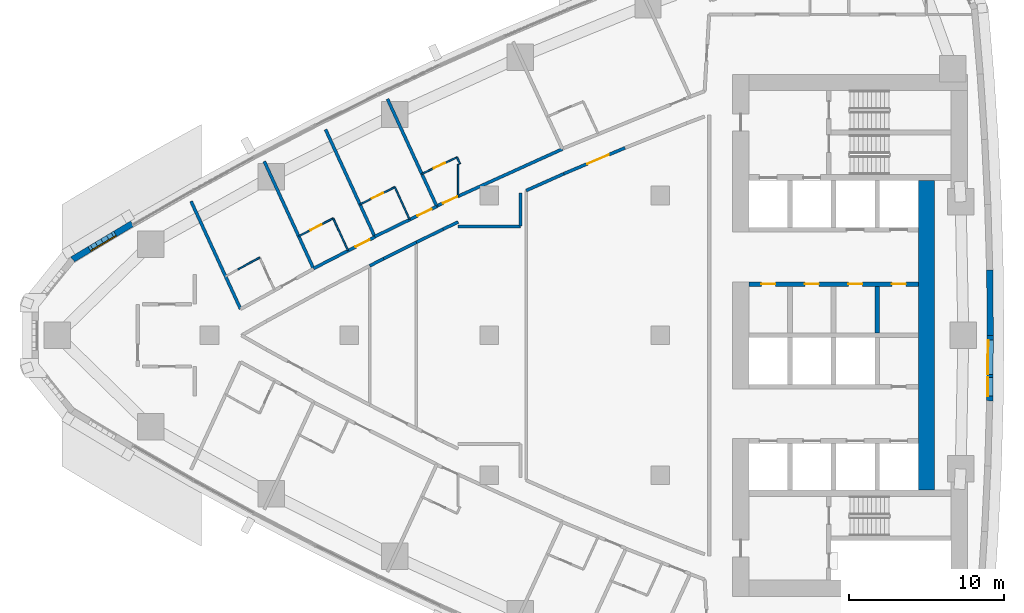
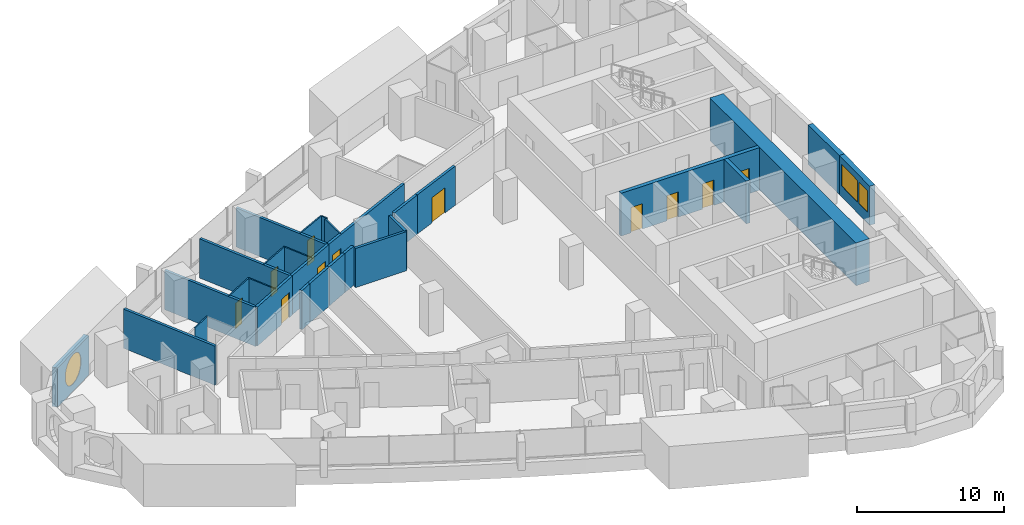
# One storey, part 11 of 17: 29 walls, 11 doors, 3 windows, 14 openings.
"""IFC4 building model written with IfcOpenShell, lengths in metres."""

from ifc_helpers import new_model, si_unit, direction, frame, frame_2d, origin, place, context, subcontext, project, spatial, polyline, rectangle, outline, extrude, material, layer, layer_set, type_object, element, fill, save


model = new_model("IFC4")

# Units and contexts
model_context = context("Model", 3, precision=1e-05, world=origin(), true_north=direction((0.0, 1.0)))
body_context = subcontext(model_context, "Body", "Model", "MODEL_VIEW")
ifc_project = project(units=[si_unit("LENGTHUNIT", "METRE"), si_unit("AREAUNIT", "SQUARE_METRE"), si_unit("VOLUMEUNIT", "CUBIC_METRE"), si_unit("PLANEANGLEUNIT", "RADIAN"), si_unit("MASSUNIT", "GRAM", prefix="KILO")], contexts=[model_context])

# Site, building, storey
site_placement = place(None, origin())
site = spatial("IfcSite", under=ifc_project, at=site_placement, CompositionType="ELEMENT")
building_placement = place(site_placement, origin())
building = spatial("IfcBuilding", under=site, at=building_placement, Name="Ostrand Prow Hotel Tower", CompositionType="ELEMENT")
storey_placement = place(building_placement, frame((0.0, 0.0, 113.300048828125)))
storey = spatial("IfcBuildingStorey", under=building, at=storey_placement, Name="L27", CompositionType="ELEMENT", Elevation=113.300048828125)

# Wall
ifc_material_1 = material(Name="Concrete C80/95", Category="concrete")
ifc_layer_1 = layer(ifc_material_1, 1.050048828125)
ifc_layer_set_1 = layer_set([ifc_layer_1], Name="Concrete C80/95")
wall_type_1 = type_object("IfcWallType", Name="Core wall 1050 C80/95", PredefinedType="SHEAR", material=ifc_layer_set_1)
wall_1_placement = place(storey_placement, frame((62.125, -9.949951171875, 0.0), z_axis=(0.0, 0.0, 1.0), x_axis=(0.0, 1.0, 0.0)))
element("IfcWall", 1, at=wall_1_placement, inside=storey, type_object=wall_type_1, Name="Core wall CW-E-C", PredefinedType="SHEAR", context=body_context, shape_type="SweptSolid", body=[
    extrude(rectangle(XDim=19.89990234375, YDim=1.050048828125, at=frame_2d((9.949951171875, 0.0))), origin(), (0.0, 0.0, 1.0), 3.550048828125),
])

# Wall, openings, doors
ifc_material_2 = material(Name="Concrete C80/95", Category="concrete")
ifc_layer_2 = layer(ifc_material_2, 0.300048828125)
ifc_layer_set_2 = layer_set([ifc_layer_2], Name="Concrete C80/95")
wall_type_2 = type_object("IfcWallType", Name="Core wall 300 C80/95", PredefinedType="SHEAR", material=ifc_layer_set_2)
wall_2_placement = place(storey_placement, frame((50.699951171875, 3.300048828125, 0.0), z_axis=(0.0, 0.0, 1.0), x_axis=(1.0, 0.0, 0.0)))
wall_2 = element("IfcWall", 2, at=wall_2_placement, inside=storey, type_object=wall_type_2, Name="Core wall PW-L1-N", PredefinedType="SHEAR", context=body_context, shape_type="SweptSolid", body=[
    extrude(rectangle(XDim=10.900146484375, YDim=0.300048828125, at=frame_2d((5.4501953125, 0.0))), origin(), (0.0, 0.0, 1.0), 3.550048828125),
])
opening_1_placement = place(wall_2_placement, frame((0.800048828125, 0.0, 0.0)))
opening_1 = element("IfcOpeningElement", 3, at=opening_1_placement, cuts=wall_2, Name="Opening FD2", PredefinedType="OPENING", context=body_context, shape_type="SweptSolid", body=[
    extrude(rectangle(XDim=0.89990234375, YDim=2.10009765625, at=frame_2d((0.449951171875, 1.050048828125))), frame((0.0, 0.159912109375, 0.0), z_axis=(0.0, -1.0, 0.0), x_axis=(1.0, 0.0, 0.0)), (0.0, 0.0, 1.0), 0.320068359375),
])
opening_2_placement = place(wall_2_placement, frame((3.60009765625, 0.0, 0.0)))
opening_2 = element("IfcOpeningElement", 4, at=opening_2_placement, cuts=wall_2, Name="Opening FD2", PredefinedType="OPENING", context=body_context, shape_type="SweptSolid", body=[
    extrude(rectangle(XDim=0.89990234375, YDim=2.10009765625, at=frame_2d((0.449951171875, 1.050048828125))), frame((0.0, 0.159912109375, 0.0), z_axis=(0.0, -1.0, 0.0), x_axis=(1.0, 0.0, 0.0)), (0.0, 0.0, 1.0), 0.320068359375),
])
opening_3_placement = place(wall_2_placement, frame((6.39990234375, 0.0, 0.0)))
opening_3 = element("IfcOpeningElement", 5, at=opening_3_placement, cuts=wall_2, Name="Opening FD2", PredefinedType="OPENING", context=body_context, shape_type="SweptSolid", body=[
    extrude(rectangle(XDim=0.89990234375, YDim=2.10009765625, at=frame_2d((0.449951171875, 1.050048828125))), frame((0.0, 0.159912109375, 0.0), z_axis=(0.0, -1.0, 0.0), x_axis=(1.0, 0.0, 0.0)), (0.0, 0.0, 1.0), 0.320068359375),
])
opening_4_placement = place(wall_2_placement, frame((9.199951171875, 0.0, 0.0)))
opening_4 = element("IfcOpeningElement", 6, at=opening_4_placement, cuts=wall_2, Name="Opening FD2", PredefinedType="OPENING", context=body_context, shape_type="SweptSolid", body=[
    extrude(rectangle(XDim=0.89990234375, YDim=2.10009765625, at=frame_2d((0.449951171875, 1.050048828125))), frame((0.0, 0.159912109375, 0.0), z_axis=(0.0, -1.0, 0.0), x_axis=(1.0, 0.0, 0.0)), (0.0, 0.0, 1.0), 0.320068359375),
])
ifc_material_3 = material(Name="Steel fire door", Category="steel")
door_type_1 = type_object("IfcDoorType", Name="Fire door 900 EI120", OperationType="SINGLE_SWING_LEFT", PredefinedType="DOOR", material=ifc_material_3)
door_1_placement = place(opening_1_placement, origin())
door_1 = element("IfcDoor", 7, at=door_1_placement, inside=storey, type_object=door_type_1, Name="DOOR", OperationType="SINGLE_SWING_LEFT", OverallHeight=2.10009765625, OverallWidth=0.89990234375, PredefinedType="DOOR", context=body_context, shape_type="SweptSolid", body=[
    extrude(rectangle(XDim=0.89990234375, YDim=2.10009765625, at=frame_2d((0.449951171875, 1.050048828125))), frame((0.0, 0.02490234375, 0.0), z_axis=(0.0, -1.0, 0.0), x_axis=(1.0, 0.0, 0.0)), (0.0, 0.0, 1.0), 0.050048828125),
])
fill(opening_1, door_1)
door_2_placement = place(opening_2_placement, origin())
door_2 = element("IfcDoor", 8, at=door_2_placement, inside=storey, type_object=door_type_1, Name="DOOR", OperationType="SINGLE_SWING_LEFT", OverallHeight=2.10009765625, OverallWidth=0.89990234375, PredefinedType="DOOR", context=body_context, shape_type="SweptSolid", body=[
    extrude(rectangle(XDim=0.89990234375, YDim=2.10009765625, at=frame_2d((0.449951171875, 1.050048828125))), frame((0.0, 0.02490234375, 0.0), z_axis=(0.0, -1.0, 0.0), x_axis=(1.0, 0.0, 0.0)), (0.0, 0.0, 1.0), 0.050048828125),
])
fill(opening_2, door_2)
door_3_placement = place(opening_3_placement, origin())
door_3 = element("IfcDoor", 9, at=door_3_placement, inside=storey, type_object=door_type_1, Name="DOOR", OperationType="SINGLE_SWING_LEFT", OverallHeight=2.10009765625, OverallWidth=0.89990234375, PredefinedType="DOOR", context=body_context, shape_type="SweptSolid", body=[
    extrude(rectangle(XDim=0.89990234375, YDim=2.10009765625, at=frame_2d((0.449951171875, 1.050048828125))), frame((0.0, 0.02490234375, 0.0), z_axis=(0.0, -1.0, 0.0), x_axis=(1.0, 0.0, 0.0)), (0.0, 0.0, 1.0), 0.050048828125),
])
fill(opening_3, door_3)
door_4_placement = place(opening_4_placement, origin())
door_4 = element("IfcDoor", 10, at=door_4_placement, inside=storey, type_object=door_type_1, Name="DOOR", OperationType="SINGLE_SWING_LEFT", OverallHeight=2.10009765625, OverallWidth=0.89990234375, PredefinedType="DOOR", context=body_context, shape_type="SweptSolid", body=[
    extrude(rectangle(XDim=0.89990234375, YDim=2.10009765625, at=frame_2d((0.449951171875, 1.050048828125))), frame((0.0, 0.02490234375, 0.0), z_axis=(0.0, -1.0, 0.0), x_axis=(1.0, 0.0, 0.0)), (0.0, 0.0, 1.0), 0.050048828125),
])
fill(opening_4, door_4)

# Walls
wall_3_placement = place(storey_placement, frame((58.949951171875, 0.14990234375, 0.0), z_axis=(0.0, 0.0, 1.0), x_axis=(0.0, 1.0, 0.0)))
element("IfcWall", 11, at=wall_3_placement, inside=storey, type_object=wall_type_2, Name="Core wall PW-R3-NB", PredefinedType="SHEAR", context=body_context, shape_type="SweptSolid", body=[
    extrude(rectangle(XDim=3.0, YDim=0.300048828125, at=frame_2d((1.5, 0.0))), origin(), (0.0, 0.0, 1.0), 3.550048828125),
])
ifc_material_4 = material(Name="Plasterboard partition")
ifc_layer_3 = layer(ifc_material_4, 0.10009765625)
ifc_layer_set_3 = layer_set([ifc_layer_3], Name="Plasterboard partition")
wall_type_3 = type_object("IfcWallType", Name="Partition 100 bathroom wall", PredefinedType="PARTITIONING", material=ifc_layer_set_3)
wall_4_placement = place(storey_placement, frame((17.80126953125, 4.228515625, 0.0), z_axis=(0.0, 0.0, 1.0), x_axis=(0.877424481957, 0.479714788663, 0.0)))
element("IfcWall", 12, at=wall_4_placement, inside=storey, type_object=wall_type_3, Name="BATHROOM WALL", PredefinedType="PARTITIONING", context=body_context, shape_type="SweptSolid", body=[
    extrude(rectangle(XDim=1.62548828125, YDim=0.10009765625, at=frame_2d((0.812744140625, 0.0))), origin(), (0.0, 0.0, 1.0), 3.25),
])

# Wall, opening, door
wall_5_placement = place(storey_placement, frame((21.737548828125, 6.377197265625, 0.0), z_axis=(0.0, 0.0, 1.0), x_axis=(0.886911586599, 0.461939214135, 0.0)))
wall_5 = element("IfcWall", 13, at=wall_5_placement, inside=storey, type_object=wall_type_3, Name="BATHROOM WALL", PredefinedType="PARTITIONING", context=body_context, shape_type="SweptSolid", body=[
    extrude(rectangle(XDim=2.5029296875, YDim=0.10009765625, at=frame_2d((1.25146484375, 0.0))), origin(), (0.0, 0.0, 1.0), 3.25),
])
opening_5_placement = place(wall_5_placement, frame((0.85009765625, 0.0, 0.0)))
opening_5 = element("IfcOpeningElement", 14, at=opening_5_placement, cuts=wall_5, Name="Opening D2", PredefinedType="OPENING", context=body_context, shape_type="SweptSolid", body=[
    extrude(rectangle(XDim=0.800048828125, YDim=2.10009765625, at=frame_2d((0.39990234375, 1.050048828125))), frame((0.0, 0.06005859375, 0.0), z_axis=(0.0, -1.0, 0.0), x_axis=(1.0, 0.0, 0.0)), (0.0, 0.0, 1.0), 0.1201171875),
])
ifc_material_5 = material(Name="Timber door leaf", Category="wood")
door_type_2 = type_object("IfcDoorType", Name="Bathroom door 800", OperationType="SINGLE_SWING_LEFT", PredefinedType="DOOR", material=ifc_material_5)
door_5_placement = place(opening_5_placement, origin())
door_5 = element("IfcDoor", 15, at=door_5_placement, inside=storey, type_object=door_type_2, Name="DOOR", OperationType="SINGLE_SWING_LEFT", OverallHeight=2.10009765625, OverallWidth=0.800048828125, PredefinedType="DOOR", context=body_context, shape_type="SweptSolid", body=[
    extrude(rectangle(XDim=0.800048828125, YDim=2.10009765625, at=frame_2d((0.39990234375, 1.050048828125))), frame((0.0, 0.02490234375, 0.0), z_axis=(0.0, -1.0, 0.0), x_axis=(1.0, 0.0, 0.0)), (0.0, 0.0, 1.0), 0.050048828125),
])
fill(opening_5, door_5)

# Wall
wall_6_placement = place(storey_placement, frame((23.95751953125, 7.533447265625, 0.0), z_axis=(0.0, 0.0, 1.0), x_axis=(0.417454762401, -0.908697706253, 0.0)))
element("IfcWall", 16, at=wall_6_placement, inside=storey, type_object=wall_type_3, Name="BATHROOM WALL", PredefinedType="PARTITIONING", context=body_context, shape_type="SweptSolid", body=[
    extrude(rectangle(XDim=2.27978515625, YDim=0.10009765625, at=frame_2d((1.139892578125, 0.0))), origin(), (0.0, 0.0, 1.0), 3.25),
])

# Wall, opening, door
wall_7_placement = place(storey_placement, frame((25.680908203125, 8.42578125, 0.0), z_axis=(0.0, 0.0, 1.0), x_axis=(0.895944857815, 0.444165297784, 0.0)))
wall_7 = element("IfcWall", 17, at=wall_7_placement, inside=storey, type_object=wall_type_3, Name="BATHROOM WALL", PredefinedType="PARTITIONING", context=body_context, shape_type="SweptSolid", body=[
    extrude(rectangle(XDim=2.5009765625, YDim=0.10009765625, at=frame_2d((1.25048828125, 0.0))), origin(), (0.0, 0.0, 1.0), 3.25),
])
opening_6_placement = place(wall_7_placement, frame((0.85009765625, 0.0, 0.0)))
opening_6 = element("IfcOpeningElement", 18, at=opening_6_placement, cuts=wall_7, Name="Opening D2", PredefinedType="OPENING", context=body_context, shape_type="SweptSolid", body=[
    extrude(rectangle(XDim=0.800048828125, YDim=2.10009765625, at=frame_2d((0.39990234375, 1.050048828125))), frame((0.0, 0.06005859375, 0.0), z_axis=(0.0, -1.0, 0.0), x_axis=(1.0, 0.0, 0.0)), (0.0, 0.0, 1.0), 0.1201171875),
])
door_6_placement = place(opening_6_placement, origin())
door_6 = element("IfcDoor", 19, at=door_6_placement, inside=storey, type_object=door_type_2, Name="DOOR", OperationType="SINGLE_SWING_LEFT", OverallHeight=2.10009765625, OverallWidth=0.800048828125, PredefinedType="DOOR", context=body_context, shape_type="SweptSolid", body=[
    extrude(rectangle(XDim=0.800048828125, YDim=2.10009765625, at=frame_2d((0.39990234375, 1.050048828125))), frame((0.0, 0.02490234375, 0.0), z_axis=(0.0, -1.0, 0.0), x_axis=(1.0, 0.0, 0.0)), (0.0, 0.0, 1.0), 0.050048828125),
])
fill(opening_6, door_6)

# Wall
wall_8_placement = place(storey_placement, frame((27.921630859375, 9.53662109375, 0.0), z_axis=(0.0, 0.0, 1.0), x_axis=(0.417433204355, -0.908707609686, 0.0)))
element("IfcWall", 20, at=wall_8_placement, inside=storey, type_object=wall_type_3, Name="BATHROOM WALL", PredefinedType="PARTITIONING", context=body_context, shape_type="SweptSolid", body=[
    extrude(rectangle(XDim=2.278076171875, YDim=0.10009765625, at=frame_2d((1.13916015625, 0.0))), origin(), (0.0, 0.0, 1.0), 3.25),
])

# Wall, opening, door
wall_9_placement = place(storey_placement, frame((29.662109375, 10.39208984375, 0.0), z_axis=(0.0, 0.0, 1.0), x_axis=(0.904688082375, 0.426074493027, 0.0)))
wall_9 = element("IfcWall", 21, at=wall_9_placement, inside=storey, type_object=wall_type_3, Name="BATHROOM WALL", PredefinedType="PARTITIONING", context=body_context, shape_type="SweptSolid", body=[
    extrude(rectangle(XDim=2.5, YDim=0.10009765625, at=frame_2d((1.25, 0.0))), origin(), (0.0, 0.0, 1.0), 3.25),
])
opening_7_placement = place(wall_9_placement, frame((0.85009765625, 0.0, 0.0)))
opening_7 = element("IfcOpeningElement", 22, at=opening_7_placement, cuts=wall_9, Name="Opening D2", PredefinedType="OPENING", context=body_context, shape_type="SweptSolid", body=[
    extrude(rectangle(XDim=0.800048828125, YDim=2.10009765625, at=frame_2d((0.39990234375, 1.050048828125))), frame((0.0, 0.06005859375, 0.0), z_axis=(0.0, -1.0, 0.0), x_axis=(1.0, 0.0, 0.0)), (0.0, 0.0, 1.0), 0.1201171875),
])
door_7_placement = place(opening_7_placement, origin())
door_7 = element("IfcDoor", 23, at=door_7_placement, inside=storey, type_object=door_type_2, Name="DOOR", OperationType="SINGLE_SWING_LEFT", OverallHeight=2.10009765625, OverallWidth=0.800048828125, PredefinedType="DOOR", context=body_context, shape_type="SweptSolid", body=[
    extrude(rectangle(XDim=0.800048828125, YDim=2.10009765625, at=frame_2d((0.39990234375, 1.050048828125))), frame((0.0, 0.02490234375, 0.0), z_axis=(0.0, -1.0, 0.0), x_axis=(1.0, 0.0, 0.0)), (0.0, 0.0, 1.0), 0.050048828125),
])
fill(opening_7, door_7)

# Walls
wall_10_placement = place(storey_placement, frame((31.923828125, 11.457275390625, 0.0), z_axis=(0.0, 0.0, 1.0), x_axis=(0.4176025781, -0.908629785316, 0.0)))
element("IfcWall", 24, at=wall_10_placement, inside=storey, type_object=wall_type_3, Name="BATHROOM WALL", PredefinedType="PARTITIONING", context=body_context, shape_type="SweptSolid", body=[
    extrude(rectangle(XDim=0.478759765625, YDim=0.10009765625, at=frame_2d((0.2392578125, 0.0))), origin(), (0.0, 0.0, 1.0), 3.25),
])
wall_11_placement = place(storey_placement, frame((31.9951171875, 11.00048828125, 0.0), z_axis=(0.0, 0.0, 1.0), x_axis=(0.0, -1.0, 0.0)))
element("IfcWall", 25, at=wall_11_placement, inside=storey, type_object=wall_type_3, Name="BATHROOM WALL", PredefinedType="PARTITIONING", context=body_context, shape_type="SweptSolid", body=[
    extrude(rectangle(XDim=2.04638671875, YDim=0.10009765625, at=frame_2d((1.023193359375, 0.0))), origin(), (0.0, 0.0, 1.0), 3.25),
])

# Wall, opening, door
ifc_material_6 = material(Name="Plasterboard partition")
ifc_layer_4 = layer(ifc_material_6, 0.199951171875)
ifc_layer_set_4 = layer_set([ifc_layer_4], Name="Plasterboard partition")
wall_type_4 = type_object("IfcWallType", Name="Partition 200 corridor wall", PredefinedType="PARTITIONING", material=ifc_layer_set_4)
wall_12_placement = place(storey_placement, frame((22.6904296875, 4.302490234375, 0.0), z_axis=(0.0, 0.0, 1.0), x_axis=(0.889236075961, 0.457448577667, 0.0)))
wall_12 = element("IfcWall", 26, at=wall_12_placement, inside=storey, type_object=wall_type_4, Name="CORRIDOR WALL", PredefinedType="PARTITIONING", context=body_context, shape_type="SweptSolid", body=[
    extrude(rectangle(XDim=4.443115234375, YDim=0.199951171875, at=frame_2d((2.2216796875, 0.0))), origin(), (0.0, 0.0, 1.0), 3.25),
])
opening_8_placement = place(wall_12_placement, frame((3.050048828125, 0.0, 0.0)))
opening_8 = element("IfcOpeningElement", 27, at=opening_8_placement, cuts=wall_12, Name="Opening D1", PredefinedType="OPENING", context=body_context, shape_type="SweptSolid", body=[
    extrude(rectangle(XDim=1.0, YDim=2.10009765625, at=frame_2d((0.5, 1.050048828125))), frame((0.0, 0.10986328125, 0.0), z_axis=(0.0, -1.0, 0.0), x_axis=(1.0, 0.0, 0.0)), (0.0, 0.0, 1.0), 0.219970703125),
])
ifc_material_7 = material(Name="Timber door leaf", Category="wood")
door_type_3 = type_object("IfcDoorType", Name="Guest room door 1000", OperationType="SINGLE_SWING_LEFT", PredefinedType="DOOR", material=ifc_material_7)
door_8_placement = place(opening_8_placement, origin())
door_8 = element("IfcDoor", 28, at=door_8_placement, inside=storey, type_object=door_type_3, Name="DOOR", OperationType="SINGLE_SWING_LEFT", OverallHeight=2.10009765625, OverallWidth=1.0, PredefinedType="DOOR", context=body_context, shape_type="SweptSolid", body=[
    extrude(rectangle(XDim=1.0, YDim=2.10009765625, at=frame_2d((0.5, 1.050048828125))), frame((0.0, 0.02490234375, 0.0), z_axis=(0.0, -1.0, 0.0), x_axis=(1.0, 0.0, 0.0)), (0.0, 0.0, 1.0), 0.050048828125),
])
fill(opening_8, door_8)

wall_13_placement = place(storey_placement, frame((26.6328125, 6.35302734375, 0.0), z_axis=(0.0, 0.0, 1.0), x_axis=(0.898502457097, 0.438968489291, 0.0)))
wall_13 = element("IfcWall", 29, at=wall_13_placement, inside=storey, type_object=wall_type_4, Name="CORRIDOR WALL", PredefinedType="PARTITIONING", context=body_context, shape_type="SweptSolid", body=[
    extrude(rectangle(XDim=4.43994140625, YDim=0.199951171875, at=frame_2d((2.219970703125, 0.0))), origin(), (0.0, 0.0, 1.0), 3.25),
])
opening_9_placement = place(wall_13_placement, frame((3.050048828125, 0.0, 0.0)))
opening_9 = element("IfcOpeningElement", 30, at=opening_9_placement, cuts=wall_13, Name="Opening D1", PredefinedType="OPENING", context=body_context, shape_type="SweptSolid", body=[
    extrude(rectangle(XDim=1.0, YDim=2.10009765625, at=frame_2d((0.5, 1.050048828125))), frame((0.0, 0.10986328125, 0.0), z_axis=(0.0, -1.0, 0.0), x_axis=(1.0, 0.0, 0.0)), (0.0, 0.0, 1.0), 0.219970703125),
])
door_9_placement = place(opening_9_placement, origin())
door_9 = element("IfcDoor", 31, at=door_9_placement, inside=storey, type_object=door_type_3, Name="DOOR", OperationType="SINGLE_SWING_LEFT", OverallHeight=2.10009765625, OverallWidth=1.0, PredefinedType="DOOR", context=body_context, shape_type="SweptSolid", body=[
    extrude(rectangle(XDim=1.0, YDim=2.10009765625, at=frame_2d((0.5, 1.050048828125))), frame((0.0, 0.02490234375, 0.0), z_axis=(0.0, -1.0, 0.0), x_axis=(1.0, 0.0, 0.0)), (0.0, 0.0, 1.0), 0.050048828125),
])
fill(opening_9, door_9)

wall_14_placement = place(storey_placement, frame((30.61376953125, 8.320068359375, 0.0), z_axis=(0.0, 0.0, 1.0), x_axis=(0.910751030363, 0.41295588226, 0.0)))
wall_14 = element("IfcWall", 32, at=wall_14_placement, inside=storey, type_object=wall_type_4, Name="CORRIDOR WALL", PredefinedType="PARTITIONING", context=body_context, shape_type="SweptSolid", body=[
    extrude(rectangle(XDim=8.88330078125, YDim=0.199951171875, at=frame_2d((4.441650390625, 0.0))), origin(), (0.0, 0.0, 1.0), 3.25),
])
opening_10_placement = place(wall_14_placement, frame((0.449951171875, 0.0, 0.0)))
opening_10 = element("IfcOpeningElement", 33, at=opening_10_placement, cuts=wall_14, Name="Opening D1", PredefinedType="OPENING", context=body_context, shape_type="SweptSolid", body=[
    extrude(rectangle(XDim=1.0, YDim=2.10009765625, at=frame_2d((0.5, 1.050048828125))), frame((0.0, 0.10986328125, 0.0), z_axis=(0.0, -1.0, 0.0), x_axis=(1.0, 0.0, 0.0)), (0.0, 0.0, 1.0), 0.219970703125),
])
door_10_placement = place(opening_10_placement, origin())
door_10 = element("IfcDoor", 34, at=door_10_placement, inside=storey, type_object=door_type_3, Name="DOOR", OperationType="SINGLE_SWING_LEFT", OverallHeight=2.10009765625, OverallWidth=1.0, PredefinedType="DOOR", context=body_context, shape_type="SweptSolid", body=[
    extrude(rectangle(XDim=1.0, YDim=2.10009765625, at=frame_2d((0.5, 1.050048828125))), frame((0.0, 0.02490234375, 0.0), z_axis=(0.0, -1.0, 0.0), x_axis=(1.0, 0.0, 0.0)), (0.0, 0.0, 1.0), 0.050048828125),
])
fill(opening_10, door_10)

# Walls
wall_15_placement = place(storey_placement, frame((26.30810546875, 4.47314453125, 0.0), z_axis=(0.0, 0.0, 1.0), x_axis=(0.886893275317, 0.461974369633, 0.0)))
element("IfcWall", 35, at=wall_15_placement, inside=storey, type_object=wall_type_4, Name="CORRIDOR WALL", PredefinedType="PARTITIONING", context=body_context, shape_type="SweptSolid", body=[
    extrude(rectangle(XDim=1.00146484375, YDim=0.199951171875, at=frame_2d((0.500732421875, 0.0))), origin(), (0.0, 0.0, 1.0), 3.25),
])
wall_16_placement = place(storey_placement, frame((27.1962890625, 4.935791015625, 0.0), z_axis=(0.0, 0.0, 1.0), x_axis=(0.895954899574, 0.444145041546, 0.0)))
element("IfcWall", 36, at=wall_16_placement, inside=storey, type_object=wall_type_4, Name="CORRIDOR WALL", PredefinedType="PARTITIONING", context=body_context, shape_type="SweptSolid", body=[
    extrude(rectangle(XDim=2.357177734375, YDim=0.199951171875, at=frame_2d((1.1787109375, 0.0))), origin(), (0.0, 0.0, 1.0), 3.25),
])
wall_17_placement = place(storey_placement, frame((31.02490234375, 6.83349609375, 0.0), z_axis=(0.0, 0.0, 1.0), x_axis=(0.904690325494, 0.426069730159, 0.0)))
element("IfcWall", 37, at=wall_17_placement, inside=storey, type_object=wall_type_4, Name="CORRIDOR WALL", PredefinedType="PARTITIONING", context=body_context, shape_type="SweptSolid", body=[
    extrude(rectangle(XDim=1.077880859375, YDim=0.199951171875, at=frame_2d((0.5390625, 0.0))), origin(), (0.0, 0.0, 1.0), 3.25),
])
wall_18_placement = place(storey_placement, frame((29.30810546875, 5.982666015625, 0.0), z_axis=(0.0, 0.0, 1.0), x_axis=(0.896001589052, 0.444050844404, 0.0)))
element("IfcWall", 38, at=wall_18_placement, inside=storey, type_object=wall_type_4, Name="CORRIDOR WALL", PredefinedType="PARTITIONING", context=body_context, shape_type="SweptSolid", body=[
    extrude(rectangle(XDim=1.916015625, YDim=0.199951171875, at=frame_2d((0.9580078125, 0.0))), origin(), (0.0, 0.0, 1.0), 3.25),
])

# Wall, opening, door
wall_19_placement = place(storey_placement, frame((38.7919921875, 10.397216796875, 0.0), z_axis=(0.0, 0.0, 1.0), x_axis=(0.921037415532, 0.389474105929, 0.0)))
wall_19 = element("IfcWall", 39, at=wall_19_placement, inside=storey, type_object=wall_type_4, Name="CORRIDOR WALL", PredefinedType="PARTITIONING", context=body_context, shape_type="SweptSolid", body=[
    extrude(rectangle(XDim=4.273193359375, YDim=0.199951171875, at=frame_2d((2.13671875, 0.0))), origin(), (0.0, 0.0, 1.0), 3.25),
])
opening_11_placement = place(wall_19_placement, frame((1.636474609375, 0.0, 0.0)))
opening_11 = element("IfcOpeningElement", 40, at=opening_11_placement, cuts=wall_19, Name="Opening D15", PredefinedType="OPENING", context=body_context, shape_type="SweptSolid", body=[
    extrude(rectangle(XDim=1.5, YDim=2.10009765625, at=frame_2d((0.75, 1.050048828125))), frame((0.0, 0.10986328125, 0.0), z_axis=(0.0, -1.0, 0.0), x_axis=(1.0, 0.0, 0.0)), (0.0, 0.0, 1.0), 0.219970703125),
])
ifc_material_8 = material(Name="Timber door leaf", Category="wood")
door_type_4 = type_object("IfcDoorType", Name="Double door 1500", OperationType="DOUBLE_DOOR_SINGLE_SWING", PredefinedType="DOOR", material=ifc_material_8)
door_11_placement = place(opening_11_placement, origin())
door_11 = element("IfcDoor", 41, at=door_11_placement, inside=storey, type_object=door_type_4, Name="DOOR", OperationType="DOUBLE_DOOR_SINGLE_SWING", OverallHeight=2.10009765625, OverallWidth=1.5, PredefinedType="DOOR", context=body_context, shape_type="SweptSolid", body=[
    extrude(rectangle(XDim=1.5, YDim=2.10009765625, at=frame_2d((0.75, 1.050048828125))), frame((0.0, 0.02490234375, 0.0), z_axis=(0.0, -1.0, 0.0), x_axis=(1.0, 0.0, 0.0)), (0.0, 0.0, 1.0), 0.050048828125),
])
fill(opening_11, door_11)

# Walls
wall_20_placement = place(storey_placement, frame((36.373779296875, 9.31689453125, 0.0), z_axis=(0.0, 0.0, 1.0), x_axis=(0.913030623494, 0.407891015544, 0.0)))
element("IfcWall", 42, at=wall_20_placement, inside=storey, type_object=wall_type_4, Name="CORRIDOR WALL", PredefinedType="PARTITIONING", context=body_context, shape_type="SweptSolid", body=[
    extrude(rectangle(XDim=2.6484375, YDim=0.199951171875, at=frame_2d((1.32421875, 0.0))), origin(), (0.0, 0.0, 1.0), 3.25),
])
wall_21_placement = place(storey_placement, frame((31.99951171875, 6.9951171875, 0.0), z_axis=(0.0, 0.0, 1.0), x_axis=(0.99999999256, 0.00012198097, 0.0)))
element("IfcWall", 43, at=wall_21_placement, inside=storey, type_object=wall_type_4, Name="CORRIDOR WALL", PredefinedType="PARTITIONING", context=body_context, shape_type="SweptSolid", body=[
    extrude(rectangle(XDim=4.0029296875, YDim=0.199951171875, at=frame_2d((2.00146484375, 0.0))), origin(), (0.0, 0.0, 1.0), 3.25),
])
wall_22_placement = place(storey_placement, frame((36.00244140625, 7.03564453125, 0.0), z_axis=(0.0, 0.0, 1.0), x_axis=(0.001156603436, 0.999999331134, 0.0)))
element("IfcWall", 44, at=wall_22_placement, inside=storey, type_object=wall_type_4, Name="CORRIDOR WALL", PredefinedType="PARTITIONING", context=body_context, shape_type="SweptSolid", body=[
    extrude(rectangle(XDim=2.11083984375, YDim=0.199951171875, at=frame_2d((1.055419921875, 0.0))), origin(), (0.0, 0.0, 1.0), 3.25),
])
ifc_material_9 = material(Name="Plasterboard partition")
ifc_layer_5 = layer(ifc_material_9, 0.199951171875)
ifc_layer_set_5 = layer_set([ifc_layer_5], Name="Plasterboard partition")
wall_type_5 = type_object("IfcWallType", Name="Partition 200 key partition", PredefinedType="PARTITIONING", material=ifc_layer_set_5)
wall_23_placement = place(storey_placement, frame((14.814697265625, 8.625732421875, 0.0), z_axis=(0.0, 0.0, 1.0), x_axis=(0.417432341259, -0.908708006166, 0.0)))
element("IfcWall", 45, at=wall_23_placement, inside=storey, type_object=wall_type_5, Name="KEY PARTITION", PredefinedType="PARTITIONING", context=body_context, shape_type="SweptSolid", body=[
    extrude(rectangle(XDim=7.630615234375, YDim=0.199951171875, at=frame_2d((3.8154296875, 0.0))), origin(), (0.0, 0.0, 1.0), 3.25),
])
wall_24_placement = place(storey_placement, frame((22.69873046875, 4.284423828125, 0.0), z_axis=(0.0, 0.0, 1.0), x_axis=(-0.417413534969, 0.908716644959, 0.0)))
element("IfcWall", 46, at=wall_24_placement, inside=storey, type_object=wall_type_5, Name="KEY PARTITION", PredefinedType="PARTITIONING", context=body_context, shape_type="SweptSolid", body=[
    extrude(rectangle(XDim=7.609375, YDim=0.199951171875, at=frame_2d((3.8046875, 0.0))), origin(), (0.0, 0.0, 1.0), 3.25),
])
wall_25_placement = place(storey_placement, frame((26.641357421875, 6.3349609375, 0.0), z_axis=(0.0, 0.0, 1.0), x_axis=(-0.417455028008, 0.908697584233, 0.0)))
element("IfcWall", 47, at=wall_25_placement, inside=storey, type_object=wall_type_5, Name="KEY PARTITION", PredefinedType="PARTITIONING", context=body_context, shape_type="SweptSolid", body=[
    extrude(rectangle(XDim=7.603271484375, YDim=0.199951171875, at=frame_2d((3.8017578125, 0.0))), origin(), (0.0, 0.0, 1.0), 3.25),
])
wall_26_placement = place(storey_placement, frame((30.6220703125, 8.302001953125, 0.0), z_axis=(0.0, 0.0, 1.0), x_axis=(-0.417429919618, 0.90870911859, 0.0)))
element("IfcWall", 48, at=wall_26_placement, inside=storey, type_object=wall_type_5, Name="KEY PARTITION", PredefinedType="PARTITIONING", context=body_context, shape_type="SweptSolid", body=[
    extrude(rectangle(XDim=7.600341796875, YDim=0.199951171875, at=frame_2d((3.80029296875, 0.0))), origin(), (0.0, 0.0, 1.0), 3.25),
])

# Wall, opening, window
ifc_material_10 = material(Name="Precast concrete C40/50", Category="concrete")
ifc_layer_6 = layer(ifc_material_10, 0.39990234375)
ifc_layer_set_6 = layer_set([ifc_layer_6], Name="Precast concrete C40/50")
wall_type_6 = type_object("IfcWallType", Name="Stone-faced precast wall 400 mm", PredefinedType="NOTDEFINED", material=ifc_layer_set_6)
wall_27_placement = place(storey_placement, frame((11.02587890625, 7.18603515625, 0.0), z_axis=(0.0, 0.0, 1.0), x_axis=(-0.857550776474, -0.514399325202, 0.0)))
wall_27 = element("IfcWall", 49, at=wall_27_placement, inside=storey, type_object=wall_type_6, Name="Stone-faced wall prow 1", PredefinedType="NOTDEFINED", context=body_context, shape_type="SweptSolid", body=[
    extrude(outline(polyline([(0.0, -0.199951171875), (4.50341796875, -0.199951171875), (4.4326171875, 0.199951171875), (0.0, 0.199951171875), (0.0, -0.199951171875)])), origin(), (0.0, 0.0, 1.0), 3.25),
])
opening_12_placement = place(wall_27_placement, frame((1.134033203125, 0.0, 0.60009765625)))
opening_12 = element("IfcOpeningElement", 50, at=opening_12_placement, cuts=wall_27, Name="Opening WP1", PredefinedType="OPENING", context=body_context, shape_type="SweptSolid", body=[
    extrude(outline(polyline([(0.0, 1.35009765625), (0.083740234375, 1.77099609375), (0.322265625, 2.127685546875), (0.678955078125, 2.3662109375), (1.10009765625, 2.449951171875), (1.52099609375, 2.3662109375), (1.877685546875, 2.127685546875), (2.1162109375, 1.77099609375), (2.199951171875, 1.35009765625), (2.199951171875, 1.10009765625), (2.1162109375, 0.678955078125), (1.877685546875, 0.322265625), (1.52099609375, 0.083740234375), (1.10009765625, 0.0), (0.678955078125, 0.083740234375), (0.322265625, 0.322265625), (0.083740234375, 0.678955078125), (0.0, 1.099853515625), (0.0, 1.35009765625)])), frame((0.0, 0.2099609375, 0.0), z_axis=(0.0, -1.0, 0.0), x_axis=(1.0, 0.0, 0.0)), (0.0, 0.0, 1.0), 0.419921875),
])
ifc_material_11 = material(Name="Insulated glass in bronze frame", Category="glass")
window_type_1 = type_object("IfcWindowType", Name="Round-ended prow window 2200x2450", PartitioningType="SINGLE_PANEL", PredefinedType="WINDOW", material=ifc_material_11)
window_1_placement = place(opening_12_placement, origin())
window_1 = element("IfcWindow", 51, at=window_1_placement, inside=storey, type_object=window_type_1, Name="Window prow 1.1", OverallHeight=2.449951171875, OverallWidth=2.199951171875, PartitioningType="SINGLE_PANEL", PredefinedType="WINDOW", context=body_context, shape_type="SweptSolid", body=[
    extrude(outline(polyline([(0.0, 1.35009765625), (0.083740234375, 1.77099609375), (0.322265625, 2.127685546875), (0.678955078125, 2.3662109375), (1.10009765625, 2.449951171875), (1.52099609375, 2.3662109375), (1.877685546875, 2.127685546875), (2.1162109375, 1.77099609375), (2.199951171875, 1.35009765625), (2.199951171875, 1.10009765625), (2.1162109375, 0.678955078125), (1.877685546875, 0.322265625), (1.52099609375, 0.083740234375), (1.10009765625, 0.0), (0.678955078125, 0.083740234375), (0.322265625, 0.322265625), (0.083740234375, 0.678955078125), (0.0, 1.099853515625), (0.0, 1.35009765625)])), frame((0.0, 0.169921875, 0.0), z_axis=(0.0, -1.0, 0.0), x_axis=(1.0, 0.0, 0.0)), (0.0, 0.0, 1.0), 0.06005859375),
])
fill(opening_12, window_1)

# Wall, openings, windows
wall_28_placement = place(storey_placement, frame((66.193603515625, -4.20654296875, 0.0), z_axis=(0.0, 0.0, 1.0), x_axis=(0.00969194175, 0.99995303203, 0.0)))
wall_28 = element("IfcWall", 52, at=wall_28_placement, inside=storey, type_object=wall_type_6, Name="Stone-faced wall back 9", PredefinedType="NOTDEFINED", context=body_context, shape_type="SweptSolid", body=[
    extrude(outline(polyline([(-0.001953125, -0.199951171875), (4.208740234375, -0.199951171875), (4.204833984375, 0.199951171875), (0.001953125, 0.199951171875), (-0.001953125, -0.199951171875)])), origin(), (0.0, 0.0, 1.0), 3.25),
])
opening_13_placement = place(wall_28_placement, frame((0.303466796875, 0.0, 0.89990234375)))
opening_13 = element("IfcOpeningElement", 53, at=opening_13_placement, cuts=wall_28, Name="Opening WS4", PredefinedType="OPENING", context=body_context, shape_type="SweptSolid", body=[
    extrude(rectangle(XDim=1.199951171875, YDim=1.800048828125, at=frame_2d((0.60009765625, 0.89990234375))), frame((0.0, 0.2099609375, 0.0), z_axis=(0.0, -1.0, 0.0), x_axis=(1.0, 0.0, 0.0)), (0.0, 0.0, 1.0), 0.419921875),
])
opening_14_placement = place(wall_28_placement, frame((1.703369140625, 0.0, 0.89990234375)))
opening_14 = element("IfcOpeningElement", 54, at=opening_14_placement, cuts=wall_28, Name="Opening WS5-22", PredefinedType="OPENING", context=body_context, shape_type="SweptSolid", body=[
    extrude(rectangle(XDim=2.199951171875, YDim=1.800048828125, at=frame_2d((1.10009765625, 0.89990234375))), frame((0.0, 0.2099609375, 0.0), z_axis=(0.0, -1.0, 0.0), x_axis=(1.0, 0.0, 0.0)), (0.0, 0.0, 1.0), 0.419921875),
])
ifc_material_12 = material(Name="Insulated glass in bronze frame", Category="glass")
window_type_2 = type_object("IfcWindowType", Name="Fixed strip window 2200x1800", PartitioningType="SINGLE_PANEL", PredefinedType="WINDOW", material=ifc_material_12)
window_2_placement = place(opening_14_placement, origin())
window_2 = element("IfcWindow", 55, at=window_2_placement, inside=storey, type_object=window_type_2, Name="Window back 9.2", OverallHeight=1.800048828125, OverallWidth=2.199951171875, PartitioningType="SINGLE_PANEL", PredefinedType="WINDOW", context=body_context, shape_type="SweptSolid", body=[
    extrude(rectangle(XDim=2.199951171875, YDim=1.800048828125, at=frame_2d((1.10009765625, 0.89990234375))), frame((0.0, 0.169921875, 0.0), z_axis=(0.0, -1.0, 0.0), x_axis=(1.0, 0.0, 0.0)), (0.0, 0.0, 1.0), 0.06005859375),
])
fill(opening_14, window_2)
ifc_material_13 = material(Name="Insulated glass in bronze frame", Category="glass")
window_type_3 = type_object("IfcWindowType", Name="Operable strip panel 1200x1800", PartitioningType="SINGLE_PANEL", PredefinedType="WINDOW", material=ifc_material_13)
window_3_placement = place(opening_13_placement, origin())
window_3 = element("IfcWindow", 56, at=window_3_placement, inside=storey, type_object=window_type_3, Name="Window back 9.1", OverallHeight=1.800048828125, OverallWidth=1.199951171875, PartitioningType="SINGLE_PANEL", PredefinedType="WINDOW", context=body_context, shape_type="SweptSolid", body=[
    extrude(rectangle(XDim=1.199951171875, YDim=1.800048828125, at=frame_2d((0.60009765625, 0.89990234375))), frame((0.0, 0.169921875, 0.0), z_axis=(0.0, -1.0, 0.0), x_axis=(1.0, 0.0, 0.0)), (0.0, 0.0, 1.0), 0.06005859375),
])
fill(opening_13, window_3)

# Wall
wall_29_placement = place(storey_placement, frame((66.234375, 0.0, 0.0), z_axis=(0.0, 0.0, 1.0), x_axis=(-0.00969194175, 0.99995303203, 0.0)))
element("IfcWall", 57, at=wall_29_placement, inside=storey, type_object=wall_type_6, Name="Stone-faced wall back 10", PredefinedType="NOTDEFINED", context=body_context, shape_type="SweptSolid", body=[
    extrude(outline(polyline([(-0.001953125, -0.199951171875), (4.208740234375, -0.199951171875), (4.204833984375, 0.199951171875), (0.001953125, 0.199951171875), (-0.001953125, -0.199951171875)])), origin(), (0.0, 0.0, 1.0), 3.25),
])

save(model, "model.ifc")
